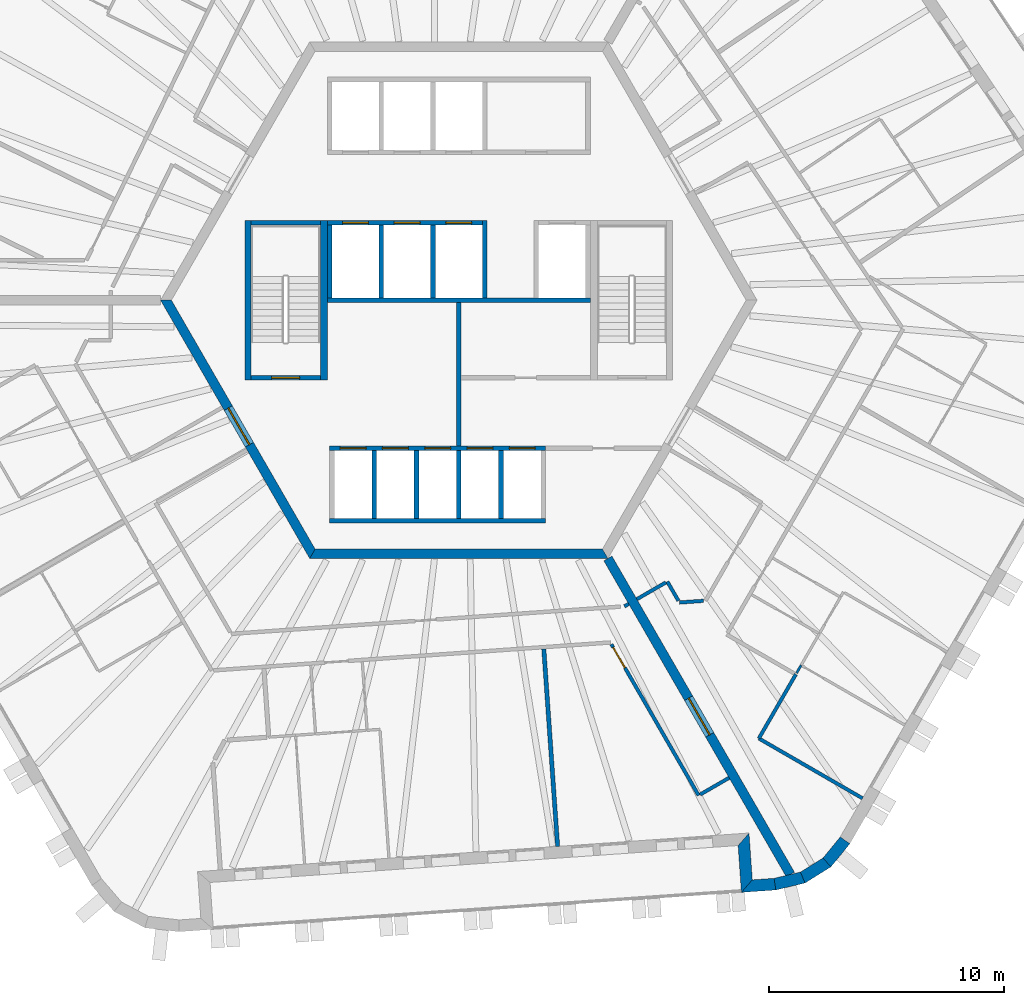
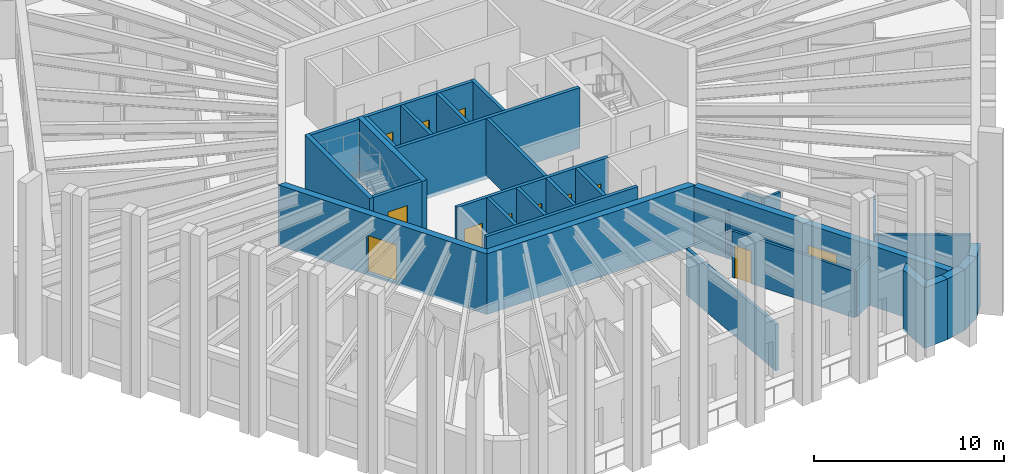
# One storey, part 5 of 12: 35 walls, 12 doors, 12 openings.
"""IFC4 building model written with IfcOpenShell, lengths in metres."""

from ifc_helpers import new_model, si_unit, direction, frame, frame_2d, origin, place, context, subcontext, project, spatial, polyline, rectangle, outline, extrude, material, layer, layer_set, type_object, element, fill, save


model = new_model("IFC4")

# Units and contexts
model_context = context("Model", 3, precision=1e-05, world=origin(), true_north=direction((0.0, 1.0)))
body_context = subcontext(model_context, "Body", "Model", "MODEL_VIEW")
ifc_project = project(units=[si_unit("LENGTHUNIT", "METRE"), si_unit("AREAUNIT", "SQUARE_METRE"), si_unit("VOLUMEUNIT", "CUBIC_METRE"), si_unit("PLANEANGLEUNIT", "RADIAN"), si_unit("MASSUNIT", "GRAM", prefix="KILO")], contexts=[model_context])

# Site, building, storey
site_placement = place(None, origin())
site = spatial("IfcSite", under=ifc_project, at=site_placement, CompositionType="ELEMENT")
building_placement = place(site_placement, origin())
building = spatial("IfcBuilding", under=site, at=building_placement, Name="Tarnside Tower", CompositionType="ELEMENT")
storey_placement = place(building_placement, frame((0.0, 0.0, 291.300048828125)))
storey = spatial("IfcBuildingStorey", under=building, at=storey_placement, Name="L70", CompositionType="ELEMENT", Elevation=291.300048828125)

# Walls
ifc_material_1 = material(Name="Gypsum board partition on steel studs", Category="steel")
ifc_layer_1 = layer(ifc_material_1, 0.10009765625)
ifc_layer_set_1 = layer_set([ifc_layer_1], Name="Bathroom wall 100")
wall_type_1 = type_object("IfcWallType", Name="Bathroom wall 100", PredefinedType="PARTITIONING", material=ifc_layer_set_1)
wall_1_placement = place(storey_placement, frame((14.39013671875, -15.87548828125, 0.0), z_axis=(0.0, 0.0, 1.0), x_axis=(0.500094824054, 0.865970650169, 0.0)))
element("IfcWall", 1, at=wall_1_placement, inside=storey, type_object=wall_type_1, Name="Bathroom wall 23146", PredefinedType="PARTITIONING", context=body_context, shape_type="SweptSolid", body=[
    extrude(rectangle(XDim=0.37841796875, YDim=0.10009765625, at=frame_2d((0.189208984375, 0.0))), origin(), (0.0, 0.0, 1.0), 2.98779296875),
])
ifc_material_2 = material(Name="Concrete C40/50", Category="concrete")
ifc_layer_2 = layer(ifc_material_2, 0.199951171875)
ifc_layer_set_2 = layer_set([ifc_layer_2], Name="Core room partition 200 C40/50")
wall_type_2 = type_object("IfcWallType", Name="Core room partition 200 C40/50", PredefinedType="PARTITIONING", material=ifc_layer_set_2)
wall_2_placement = place(storey_placement, frame((0.0, -6.199951171875, 0.0), z_axis=(0.0, 0.0, 1.0), x_axis=(0.0, 1.0, 0.0)))
element("IfcWall", 2, at=wall_2_placement, inside=storey, type_object=wall_type_2, Name="L70 core partition X0", PredefinedType="PARTITIONING", context=body_context, shape_type="SweptSolid", body=[
    extrude(rectangle(XDim=6.099853515625, YDim=0.199951171875, at=frame_2d((3.0498046875, 0.0))), origin(), (0.0, 0.0, 1.0), 3.64990234375),
])

# Wall, opening, door
ifc_material_3 = material(Name="Concrete C60/75", Category="concrete")
ifc_layer_3 = layer(ifc_material_3, 0.39990234375)
ifc_layer_set_3 = layer_set([ifc_layer_3], Name="Core wall Z3 400 C60/75")
wall_type_3 = type_object("IfcWallType", Name="Core wall Z3 400 C60/75", PredefinedType="SHEAR", material=ifc_layer_set_3)
wall_3_placement = place(storey_placement, frame((-12.470703125, 0.0, -0.150146484375), z_axis=(0.0, 0.0, 1.0), x_axis=(0.499996419489, -0.866027470984, 0.0)))
wall_3 = element("IfcWall", 3, at=wall_3_placement, inside=storey, type_object=wall_type_3, Name="L70 core wall face 3", PredefinedType="SHEAR", context=body_context, shape_type="SweptSolid", body=[
    extrude(outline(polyline([(-0.115478515625, -0.199951171875), (12.586181640625, -0.199951171875), (12.355224609375, 0.199951171875), (0.115478515625, 0.199951171875), (-0.115478515625, -0.199951171875)])), origin(), (0.0, 0.0, 1.0), 3.900146484375),
])
opening_1_placement = place(wall_3_placement, frame((5.306396484375, 0.0, 0.14990234375)))
opening_1 = element("IfcOpeningElement", 4, at=opening_1_placement, cuts=wall_3, Name="Opening CD-FFL", PredefinedType="OPENING", context=body_context, shape_type="SweptSolid", body=[
    extrude(rectangle(XDim=1.800048828125, YDim=2.39990234375, at=frame_2d((0.89990234375, 1.199951171875))), frame((0.0, 0.2099609375, 0.0), z_axis=(0.0, -1.0, 0.0), x_axis=(1.0, 0.0, 0.0)), (0.0, 0.0, 1.0), 0.419921875),
])
ifc_material_4 = material(Name="Steel fire door", Category="steel")
door_type_1 = type_object("IfcDoorType", Name="Firefighting lobby double door FD60S 1800x2400", OperationType="NOTDEFINED", PredefinedType="DOOR", material=ifc_material_4)
door_1_placement = place(opening_1_placement, origin())
door_1 = element("IfcDoor", 5, at=door_1_placement, inside=storey, type_object=door_type_1, Name="L70 core door P3", OperationType="DOUBLE_DOOR_SINGLE_SWING", OverallHeight=2.39990234375, OverallWidth=1.800048828125, PredefinedType="DOOR", context=body_context, shape_type="SweptSolid", body=[
    extrude(rectangle(XDim=1.800048828125, YDim=2.39990234375, at=frame_2d((0.89990234375, 1.199951171875))), frame((0.0, 0.02490234375, 0.0), z_axis=(0.0, -1.0, 0.0), x_axis=(1.0, 0.0, 0.0)), (0.0, 0.0, 1.0), 0.050048828125),
])
fill(opening_1, door_1)

# Wall
wall_4_placement = place(storey_placement, frame((-6.2353515625, -10.800048828125, -0.150146484375), z_axis=(0.0, 0.0, 1.0), x_axis=(1.0, 0.0, 0.0)))
element("IfcWall", 6, at=wall_4_placement, inside=storey, type_object=wall_type_3, Name="L70 core wall face 4", PredefinedType="SHEAR", context=body_context, shape_type="SweptSolid", body=[
    extrude(outline(polyline([(-0.115478515625, -0.199951171875), (12.586181640625, -0.199951171875), (12.355224609375, 0.199951171875), (0.115478515625, 0.199951171875), (-0.115478515625, -0.199951171875)])), origin(), (0.0, 0.0, 1.0), 3.900146484375),
])

# Wall, opening, door
wall_5_placement = place(storey_placement, frame((6.350830078125, -11.0, -0.150146484375), z_axis=(0.0, 0.0, 1.0), x_axis=(0.499998894578, -0.866026041999, 0.0)))
wall_5 = element("IfcWall", 7, at=wall_5_placement, inside=storey, type_object=wall_type_3, Name="L70 spine wall 3", PredefinedType="SHEAR", context=body_context, shape_type="SweptSolid", body=[
    extrude(rectangle(XDim=15.54443359375, YDim=0.39990234375, at=frame_2d((7.772216796875, 0.0))), origin(), (0.0, 0.0, 1.0), 3.900146484375),
])
opening_2_placement = place(wall_5_placement, frame((6.872314453125, 0.0, 0.14990234375)))
opening_2 = element("IfcOpeningElement", 8, at=opening_2_placement, cuts=wall_5, Name="Opening CD-SPN", PredefinedType="OPENING", context=body_context, shape_type="SweptSolid", body=[
    extrude(rectangle(XDim=1.800048828125, YDim=2.39990234375, at=frame_2d((0.89990234375, 1.199951171875))), frame((0.0, 0.2099609375, 0.0), z_axis=(0.0, -1.0, 0.0), x_axis=(1.0, 0.0, 0.0)), (0.0, 0.0, 1.0), 0.419921875),
])
door_type_2 = type_object("IfcDoorType", Name="Spine passage double door FD60 1800x2400", OperationType="NOTDEFINED", PredefinedType="DOOR", material=ifc_material_4)
door_2_placement = place(opening_2_placement, origin())
door_2 = element("IfcDoor", 9, at=door_2_placement, inside=storey, type_object=door_type_2, Name="L70 spine passage door 3", OperationType="DOUBLE_DOOR_SINGLE_SWING", OverallHeight=2.39990234375, OverallWidth=1.800048828125, PredefinedType="DOOR", context=body_context, shape_type="SweptSolid", body=[
    extrude(rectangle(XDim=1.800048828125, YDim=2.39990234375, at=frame_2d((0.89990234375, 1.199951171875))), frame((0.0, 0.02490234375, 0.0), z_axis=(0.0, -1.0, 0.0), x_axis=(1.0, 0.0, 0.0)), (0.0, 0.0, 1.0), 0.050048828125),
])
fill(opening_2, door_2)

ifc_layer_4 = layer(ifc_material_1, 0.14990234375)
ifc_layer_set_4 = layer_set([ifc_layer_4], Name="Corridor wall 150 EI 60")
wall_type_4 = type_object("IfcWallType", Name="Corridor wall 150 EI 60", PredefinedType="PARTITIONING", material=ifc_layer_set_4)
wall_6_placement = place(storey_placement, frame((6.49951171875, -14.6572265625, 0.0), z_axis=(0.0, 0.0, 1.0), x_axis=(0.499966098742, -0.8660449758, 0.0)))
wall_6 = element("IfcWall", 10, at=wall_6_placement, inside=storey, type_object=wall_type_4, Name="Corridor wall 23042", PredefinedType="PARTITIONING", context=body_context, shape_type="SweptSolid", body=[
    extrude(rectangle(XDim=7.4306640625, YDim=0.14990234375, at=frame_2d((3.71533203125, 0.0))), origin(), (0.0, 0.0, 1.0), 2.98779296875),
])
opening_3_placement = place(wall_6_placement, frame((0.14990234375, 0.0, 0.0)))
opening_3 = element("IfcOpeningElement", 11, at=opening_3_placement, cuts=wall_6, Name="Opening D-E1", PredefinedType="OPENING", context=body_context, shape_type="SweptSolid", body=[
    extrude(rectangle(XDim=1.0, YDim=2.10009765625, at=frame_2d((0.5, 1.050048828125))), frame((0.0, 0.0849609375, 0.0), z_axis=(0.0, -1.0, 0.0), x_axis=(1.0, 0.0, 0.0)), (0.0, 0.0, 1.0), 0.169921875),
])
ifc_material_5 = material(Name="Timber door leaf", Category="wood")
door_type_3 = type_object("IfcDoorType", Name="Unit entrance door 1000 FD30S", OperationType="NOTDEFINED", PredefinedType="DOOR", material=ifc_material_5)
door_3_placement = place(opening_3_placement, origin())
door_3 = element("IfcDoor", 12, at=door_3_placement, inside=storey, type_object=door_type_3, Name="Unit door 23038", OperationType="SINGLE_SWING_RIGHT", OverallHeight=2.10009765625, OverallWidth=1.0, PredefinedType="DOOR", context=body_context, shape_type="SweptSolid", body=[
    extrude(rectangle(XDim=1.0, YDim=2.10009765625, at=frame_2d((0.5, 1.050048828125))), frame((0.0, 0.02490234375, 0.0), z_axis=(0.0, -1.0, 0.0), x_axis=(1.0, 0.0, 0.0)), (0.0, 0.0, 1.0), 0.050048828125),
])
fill(opening_3, door_3)

# Walls
wall_7_placement = place(storey_placement, frame((10.27978515625, -21.054931640625, 0.0), z_axis=(0.0, 0.0, 1.0), x_axis=(0.866020080793, 0.500009219579, 0.0)))
element("IfcWall", 13, at=wall_7_placement, inside=storey, type_object=wall_type_4, Name="Corridor wall 23043", PredefinedType="PARTITIONING", context=body_context, shape_type="SweptSolid", body=[
    extrude(rectangle(XDim=1.4248046875, YDim=0.14990234375, at=frame_2d((0.71240234375, 0.0))), origin(), (0.0, 0.0, 1.0), 2.98779296875),
])
wall_8_placement = place(storey_placement, frame((7.23681640625, -12.9345703125, 0.0), z_axis=(0.0, 0.0, 1.0), x_axis=(-0.866088799389, -0.499890179513, 0.0)))
element("IfcWall", 14, at=wall_8_placement, inside=storey, type_object=wall_type_4, Name="Corridor wall 23049", PredefinedType="PARTITIONING", context=body_context, shape_type="SweptSolid", body=[
    extrude(rectangle(XDim=0.2099609375, YDim=0.14990234375, at=frame_2d((0.10498046875, 0.0))), origin(), (0.0, 0.0, 1.0), 2.98779296875),
])
wall_9_placement = place(storey_placement, frame((12.780029296875, -18.66455078125, 0.0), z_axis=(0.0, 0.0, 1.0), x_axis=(0.499972881236, 0.866041060244, 0.0)))
element("IfcWall", 15, at=wall_9_placement, inside=storey, type_object=wall_type_4, Name="Corridor wall 23057", PredefinedType="PARTITIONING", context=body_context, shape_type="SweptSolid", body=[
    extrude(rectangle(XDim=3.150634765625, YDim=0.14990234375, at=frame_2d((1.5751953125, 0.0))), origin(), (0.0, 0.0, 1.0), 2.98779296875),
])
wall_10_placement = place(storey_placement, frame((17.196044921875, -21.215576171875, 0.0), z_axis=(0.0, 0.0, 1.0), x_axis=(-0.866024511559, 0.500001545377, 0.0)))
element("IfcWall", 16, at=wall_10_placement, inside=storey, type_object=wall_type_4, Name="Corridor wall 23058", PredefinedType="PARTITIONING", context=body_context, shape_type="SweptSolid", body=[
    extrude(rectangle(XDim=5.0986328125, YDim=0.14990234375, at=frame_2d((2.54931640625, 0.0))), origin(), (0.0, 0.0, 1.0), 2.98779296875),
])
wall_11_placement = place(storey_placement, frame((10.418701171875, -12.804443359375, 0.0), z_axis=(0.0, 0.0, 1.0), x_axis=(-0.997558136861, -0.069840987838, 0.0)))
element("IfcWall", 17, at=wall_11_placement, inside=storey, type_object=wall_type_4, Name="Corridor wall 23075", PredefinedType="PARTITIONING", context=body_context, shape_type="SweptSolid", body=[
    extrude(rectangle(XDim=1.024169921875, YDim=0.14990234375, at=frame_2d((0.51220703125, 0.0))), origin(), (0.0, 0.0, 1.0), 2.98779296875),
])
wall_12_placement = place(storey_placement, frame((9.355224609375, -12.8037109375, 0.0), z_axis=(0.0, 0.0, 1.0), x_axis=(-0.499998034377, 0.866026538634, 0.0)))
element("IfcWall", 18, at=wall_12_placement, inside=storey, type_object=wall_type_4, Name="Corridor wall 23076", PredefinedType="PARTITIONING", context=body_context, shape_type="SweptSolid", body=[
    extrude(rectangle(XDim=0.94580078125, YDim=0.14990234375, at=frame_2d((0.472900390625, 0.0))), origin(), (0.0, 0.0, 1.0), 2.98779296875),
])
wall_13_placement = place(storey_placement, frame((8.8173828125, -12.022216796875, 0.0), z_axis=(0.0, 0.0, 1.0), x_axis=(-0.866062911188, -0.499935029643, 0.0)))
element("IfcWall", 19, at=wall_13_placement, inside=storey, type_object=wall_type_4, Name="Corridor wall 23077", PredefinedType="PARTITIONING", context=body_context, shape_type="SweptSolid", body=[
    extrude(rectangle(XDim=1.425048828125, YDim=0.14990234375, at=frame_2d((0.71240234375, 0.0))), origin(), (0.0, 0.0, 1.0), 2.98779296875),
])
ifc_layer_5 = layer(ifc_material_1, 0.179931640625)
ifc_layer_set_5 = layer_set([ifc_layer_5], Name="Demising wall 180 EI 60")
wall_type_5 = type_object("IfcWallType", Name="Demising wall 180 EI 60", PredefinedType="PARTITIONING", material=ifc_layer_set_5)
wall_14_placement = place(storey_placement, frame((4.208251953125, -23.26318359375, 0.0), z_axis=(0.0, 0.0, 1.0), x_axis=(-0.069749826803, 0.997564515037, 0.0)))
element("IfcWall", 20, at=wall_14_placement, inside=storey, type_object=wall_type_5, Name="Demising wall 23133", PredefinedType="PARTITIONING", context=body_context, shape_type="SweptSolid", body=[
    extrude(rectangle(XDim=8.425048828125, YDim=0.179931640625, at=frame_2d((4.21240234375, 0.0))), origin(), (0.0, 0.0, 1.0), 2.98779296875),
])

# Wall, openings, doors
ifc_layer_6 = layer(ifc_material_2, 0.199951171875)
ifc_layer_set_6 = layer_set([ifc_layer_6], Name="Lift shaft wall 200 C40/50")
wall_type_6 = type_object("IfcWallType", Name="Lift shaft wall 200 C40/50", PredefinedType="SHEAR", material=ifc_layer_set_6)
wall_15_placement = place(storey_placement, frame((-5.60009765625, 3.300048828125, -0.25), z_axis=(0.0, 0.0, 1.0), x_axis=(1.0, 0.0, 0.0)))
wall_15 = element("IfcWall", 21, at=wall_15_placement, inside=storey, type_object=wall_type_6, Name="L70 lift shaft front wall R2", PredefinedType="SHEAR", context=body_context, shape_type="SweptSolid", body=[
    extrude(rectangle(XDim=6.60009765625, YDim=0.199951171875, at=frame_2d((3.300048828125, 0.0))), origin(), (0.0, 0.0, 1.0), 3.89990234375),
])
opening_4_placement = place(wall_15_placement, frame((0.64990234375, 0.0, 0.25)))
opening_4 = element("IfcOpeningElement", 22, at=opening_4_placement, cuts=wall_15, Name="Opening LD", PredefinedType="OPENING", context=body_context, shape_type="SweptSolid", body=[
    extrude(rectangle(XDim=1.10009765625, YDim=2.10009765625, at=frame_2d((0.550048828125, 1.050048828125))), frame((0.0, 0.10986328125, 0.0), z_axis=(0.0, -1.0, 0.0), x_axis=(1.0, 0.0, 0.0)), (0.0, 0.0, 1.0), 0.219970703125),
])
opening_5_placement = place(wall_15_placement, frame((2.85009765625, 0.0, 0.25)))
opening_5 = element("IfcOpeningElement", 23, at=opening_5_placement, cuts=wall_15, Name="Opening LD", PredefinedType="OPENING", context=body_context, shape_type="SweptSolid", body=[
    extrude(rectangle(XDim=1.10009765625, YDim=2.10009765625, at=frame_2d((0.550048828125, 1.050048828125))), frame((0.0, 0.10986328125, 0.0), z_axis=(0.0, -1.0, 0.0), x_axis=(1.0, 0.0, 0.0)), (0.0, 0.0, 1.0), 0.219970703125),
])
opening_6_placement = place(wall_15_placement, frame((5.050048828125, 0.0, 0.25)))
opening_6 = element("IfcOpeningElement", 24, at=opening_6_placement, cuts=wall_15, Name="Opening LD", PredefinedType="OPENING", context=body_context, shape_type="SweptSolid", body=[
    extrude(rectangle(XDim=1.10009765625, YDim=2.10009765625, at=frame_2d((0.550048828125, 1.050048828125))), frame((0.0, 0.10986328125, 0.0), z_axis=(0.0, -1.0, 0.0), x_axis=(1.0, 0.0, 0.0)), (0.0, 0.0, 1.0), 0.219970703125),
])
ifc_material_6 = material(Name="Stainless steel", Category="steel")
door_type_4 = type_object("IfcDoorType", Name="Lift landing door 1100x2100", OperationType="NOTDEFINED", PredefinedType="DOOR", material=ifc_material_6)
door_4_placement = place(opening_4_placement, origin())
door_4 = element("IfcDoor", 25, at=door_4_placement, inside=storey, type_object=door_type_4, Name="High-rise lift 4 landing door L70", OperationType="SLIDING_TO_LEFT", OverallHeight=2.10009765625, OverallWidth=1.10009765625, PredefinedType="DOOR", context=body_context, shape_type="SweptSolid", body=[
    extrude(rectangle(XDim=1.10009765625, YDim=2.10009765625, at=frame_2d((0.550048828125, 1.050048828125))), frame((0.0, 0.02490234375, 0.0), z_axis=(0.0, -1.0, 0.0), x_axis=(1.0, 0.0, 0.0)), (0.0, 0.0, 1.0), 0.050048828125),
])
fill(opening_4, door_4)
door_5_placement = place(opening_5_placement, origin())
door_5 = element("IfcDoor", 26, at=door_5_placement, inside=storey, type_object=door_type_4, Name="High-rise lift 5 landing door L70", OperationType="SLIDING_TO_LEFT", OverallHeight=2.10009765625, OverallWidth=1.10009765625, PredefinedType="DOOR", context=body_context, shape_type="SweptSolid", body=[
    extrude(rectangle(XDim=1.10009765625, YDim=2.10009765625, at=frame_2d((0.550048828125, 1.050048828125))), frame((0.0, 0.02490234375, 0.0), z_axis=(0.0, -1.0, 0.0), x_axis=(1.0, 0.0, 0.0)), (0.0, 0.0, 1.0), 0.050048828125),
])
fill(opening_5, door_5)
door_6_placement = place(opening_6_placement, origin())
door_6 = element("IfcDoor", 27, at=door_6_placement, inside=storey, type_object=door_type_4, Name="High-rise lift 6 landing door L70", OperationType="SLIDING_TO_LEFT", OverallHeight=2.10009765625, OverallWidth=1.10009765625, PredefinedType="DOOR", context=body_context, shape_type="SweptSolid", body=[
    extrude(rectangle(XDim=1.10009765625, YDim=2.10009765625, at=frame_2d((0.550048828125, 1.050048828125))), frame((0.0, 0.02490234375, 0.0), z_axis=(0.0, -1.0, 0.0), x_axis=(1.0, 0.0, 0.0)), (0.0, 0.0, 1.0), 0.050048828125),
])
fill(opening_6, door_6)

# Walls
wall_16_placement = place(storey_placement, frame((-5.60009765625, 0.0, -0.25), z_axis=(0.0, 0.0, 1.0), x_axis=(1.0, 0.0, 0.0)))
element("IfcWall", 28, at=wall_16_placement, inside=storey, type_object=wall_type_6, Name="L70 lift shaft back wall R2", PredefinedType="SHEAR", context=body_context, shape_type="SweptSolid", body=[
    extrude(rectangle(XDim=11.2001953125, YDim=0.199951171875, at=frame_2d((5.60009765625, 0.0))), origin(), (0.0, 0.0, 1.0), 3.89990234375),
])
for number, where, z_axis, x_axis, name in (
    (29, (-5.5, 0.10009765625, -0.25), (0.0, 0.0, 1.0), (0.0, 1.0, 0.0), "L70 lift shaft partition R21"),
    (30, (-3.300048828125, 0.10009765625, -0.25), (0.0, 0.0, 1.0), (0.0, 1.0, 0.0), "L70 lift shaft partition R22"),
    (31, (-1.10009765625, 0.10009765625, -0.25), (0.0, 0.0, 1.0), (0.0, 1.0, 0.0), "L70 lift shaft partition R23"),
):
    element("IfcWall", number, at=place(storey_placement, frame(where, z_axis=z_axis, x_axis=x_axis)), inside=storey, type_object=wall_type_6, Name=name, PredefinedType="SHEAR", context=body_context, shape_type="SweptSolid", body=[
        extrude(rectangle(XDim=3.099853515625, YDim=0.199951171875, at=frame_2d((1.5498046875, 0.0))), origin(), (0.0, 0.0, 1.0), 3.89990234375),
    ])
wall_17_placement = place(storey_placement, frame((1.10009765625, 0.10009765625, -0.25), z_axis=(0.0, 0.0, 1.0), x_axis=(0.0, 1.0, 0.0)))
element("IfcWall", 32, at=wall_17_placement, inside=storey, type_object=wall_type_6, Name="L70 lift shaft partition R24", PredefinedType="SHEAR", context=body_context, shape_type="SweptSolid", body=[
    extrude(rectangle(XDim=3.2998046875, YDim=0.199951171875, at=frame_2d((1.64990234375, 0.0))), origin(), (0.0, 0.0, 1.0), 3.89990234375),
])

# Wall, openings, doors
wall_18_placement = place(storey_placement, frame((-5.5, -6.300048828125, -0.25), z_axis=(0.0, 0.0, 1.0), x_axis=(1.0, 0.0, 0.0)))
wall_18 = element("IfcWall", 33, at=wall_18_placement, inside=storey, type_object=wall_type_6, Name="L70 lift shaft front wall R4", PredefinedType="SHEAR", context=body_context, shape_type="SweptSolid", body=[
    extrude(rectangle(XDim=9.199951171875, YDim=0.199951171875, at=frame_2d((4.60009765625, 0.0))), origin(), (0.0, 0.0, 1.0), 3.89990234375),
])
opening_7_placement = place(wall_18_placement, frame((0.449951171875, 0.0, 0.25)))
opening_7 = element("IfcOpeningElement", 34, at=opening_7_placement, cuts=wall_18, Name="Opening LDF", PredefinedType="OPENING", context=body_context, shape_type="SweptSolid", body=[
    extrude(rectangle(XDim=1.10009765625, YDim=2.10009765625, at=frame_2d((0.550048828125, 1.050048828125))), frame((0.0, 0.10986328125, 0.0), z_axis=(0.0, -1.0, 0.0), x_axis=(1.0, 0.0, 0.0)), (0.0, 0.0, 1.0), 0.219970703125),
])
opening_8_placement = place(wall_18_placement, frame((2.25, 0.0, 0.25)))
opening_8 = element("IfcOpeningElement", 35, at=opening_8_placement, cuts=wall_18, Name="Opening LDF", PredefinedType="OPENING", context=body_context, shape_type="SweptSolid", body=[
    extrude(rectangle(XDim=1.10009765625, YDim=2.10009765625, at=frame_2d((0.550048828125, 1.050048828125))), frame((0.0, 0.10986328125, 0.0), z_axis=(0.0, -1.0, 0.0), x_axis=(1.0, 0.0, 0.0)), (0.0, 0.0, 1.0), 0.219970703125),
])
opening_9_placement = place(wall_18_placement, frame((4.050048828125, 0.0, 0.25)))
opening_9 = element("IfcOpeningElement", 36, at=opening_9_placement, cuts=wall_18, Name="Opening LDF", PredefinedType="OPENING", context=body_context, shape_type="SweptSolid", body=[
    extrude(rectangle(XDim=1.10009765625, YDim=2.10009765625, at=frame_2d((0.550048828125, 1.050048828125))), frame((0.0, 0.10986328125, 0.0), z_axis=(0.0, -1.0, 0.0), x_axis=(1.0, 0.0, 0.0)), (0.0, 0.0, 1.0), 0.219970703125),
])
opening_10_placement = place(wall_18_placement, frame((5.85009765625, 0.0, 0.25)))
opening_10 = element("IfcOpeningElement", 37, at=opening_10_placement, cuts=wall_18, Name="Opening LDF", PredefinedType="OPENING", context=body_context, shape_type="SweptSolid", body=[
    extrude(rectangle(XDim=1.10009765625, YDim=2.10009765625, at=frame_2d((0.550048828125, 1.050048828125))), frame((0.0, 0.10986328125, 0.0), z_axis=(0.0, -1.0, 0.0), x_axis=(1.0, 0.0, 0.0)), (0.0, 0.0, 1.0), 0.219970703125),
])
opening_11_placement = place(wall_18_placement, frame((7.64990234375, 0.0, 0.25)))
opening_11 = element("IfcOpeningElement", 38, at=opening_11_placement, cuts=wall_18, Name="Opening LDF", PredefinedType="OPENING", context=body_context, shape_type="SweptSolid", body=[
    extrude(rectangle(XDim=1.10009765625, YDim=2.10009765625, at=frame_2d((0.550048828125, 1.050048828125))), frame((0.0, 0.10986328125, 0.0), z_axis=(0.0, -1.0, 0.0), x_axis=(1.0, 0.0, 0.0)), (0.0, 0.0, 1.0), 0.219970703125),
])
door_type_5 = type_object("IfcDoorType", Name="Lift landing door 1100x2100 EI 120", OperationType="NOTDEFINED", PredefinedType="DOOR", material=ifc_material_6)
door_7_placement = place(opening_7_placement, origin())
door_7 = element("IfcDoor", 39, at=door_7_placement, inside=storey, type_object=door_type_5, Name="Firefighting lift 1 landing door L70", OperationType="SLIDING_TO_LEFT", OverallHeight=2.10009765625, OverallWidth=1.10009765625, PredefinedType="DOOR", context=body_context, shape_type="SweptSolid", body=[
    extrude(rectangle(XDim=1.10009765625, YDim=2.10009765625, at=frame_2d((0.550048828125, 1.050048828125))), frame((0.0, 0.02490234375, 0.0), z_axis=(0.0, -1.0, 0.0), x_axis=(1.0, 0.0, 0.0)), (0.0, 0.0, 1.0), 0.050048828125),
])
fill(opening_7, door_7)
door_8_placement = place(opening_8_placement, origin())
door_8 = element("IfcDoor", 40, at=door_8_placement, inside=storey, type_object=door_type_5, Name="Firefighting lift 2 landing door L70", OperationType="SLIDING_TO_LEFT", OverallHeight=2.10009765625, OverallWidth=1.10009765625, PredefinedType="DOOR", context=body_context, shape_type="SweptSolid", body=[
    extrude(rectangle(XDim=1.10009765625, YDim=2.10009765625, at=frame_2d((0.550048828125, 1.050048828125))), frame((0.0, 0.02490234375, 0.0), z_axis=(0.0, -1.0, 0.0), x_axis=(1.0, 0.0, 0.0)), (0.0, 0.0, 1.0), 0.050048828125),
])
fill(opening_8, door_8)
door_9_placement = place(opening_9_placement, origin())
door_9 = element("IfcDoor", 41, at=door_9_placement, inside=storey, type_object=door_type_5, Name="Firefighting lift 3 landing door L70", OperationType="SLIDING_TO_LEFT", OverallHeight=2.10009765625, OverallWidth=1.10009765625, PredefinedType="DOOR", context=body_context, shape_type="SweptSolid", body=[
    extrude(rectangle(XDim=1.10009765625, YDim=2.10009765625, at=frame_2d((0.550048828125, 1.050048828125))), frame((0.0, 0.02490234375, 0.0), z_axis=(0.0, -1.0, 0.0), x_axis=(1.0, 0.0, 0.0)), (0.0, 0.0, 1.0), 0.050048828125),
])
fill(opening_9, door_9)
door_10_placement = place(opening_10_placement, origin())
door_10 = element("IfcDoor", 42, at=door_10_placement, inside=storey, type_object=door_type_5, Name="Firefighting lift 4 landing door L70", OperationType="SLIDING_TO_LEFT", OverallHeight=2.10009765625, OverallWidth=1.10009765625, PredefinedType="DOOR", context=body_context, shape_type="SweptSolid", body=[
    extrude(rectangle(XDim=1.10009765625, YDim=2.10009765625, at=frame_2d((0.550048828125, 1.050048828125))), frame((0.0, 0.02490234375, 0.0), z_axis=(0.0, -1.0, 0.0), x_axis=(1.0, 0.0, 0.0)), (0.0, 0.0, 1.0), 0.050048828125),
])
fill(opening_10, door_10)
door_11_placement = place(opening_11_placement, origin())
door_11 = element("IfcDoor", 43, at=door_11_placement, inside=storey, type_object=door_type_5, Name="Firefighting lift 5 landing door L70", OperationType="SLIDING_TO_LEFT", OverallHeight=2.10009765625, OverallWidth=1.10009765625, PredefinedType="DOOR", context=body_context, shape_type="SweptSolid", body=[
    extrude(rectangle(XDim=1.10009765625, YDim=2.10009765625, at=frame_2d((0.550048828125, 1.050048828125))), frame((0.0, 0.02490234375, 0.0), z_axis=(0.0, -1.0, 0.0), x_axis=(1.0, 0.0, 0.0)), (0.0, 0.0, 1.0), 0.050048828125),
])
fill(opening_11, door_11)

# Walls
wall_19_placement = place(storey_placement, frame((-5.5, -9.39990234375, -0.25), z_axis=(0.0, 0.0, 1.0), x_axis=(1.0, 0.0, 0.0)))
element("IfcWall", 44, at=wall_19_placement, inside=storey, type_object=wall_type_6, Name="L70 lift shaft back wall R4", PredefinedType="SHEAR", context=body_context, shape_type="SweptSolid", body=[
    extrude(rectangle(XDim=9.199951171875, YDim=0.199951171875, at=frame_2d((4.60009765625, 0.0))), origin(), (0.0, 0.0, 1.0), 3.89990234375),
])
for number, where, z_axis, x_axis, name in (
    (45, (-3.60009765625, -9.300048828125, -0.25), (0.0, 0.0, 1.0), (0.0, 1.0, 0.0), "L70 lift shaft partition R42"),
    (46, (-1.800048828125, -9.300048828125, -0.25), (0.0, 0.0, 1.0), (0.0, 1.0, 0.0), "L70 lift shaft partition R43"),
    (47, (0.0, -9.300048828125, -0.25), (0.0, 0.0, 1.0), (0.0, 1.0, 0.0), "L70 lift shaft partition R44"),
    (48, (1.800048828125, -9.300048828125, -0.25), (0.0, 0.0, 1.0), (0.0, 1.0, 0.0), "L70 lift shaft partition R45"),
):
    element("IfcWall", number, at=place(storey_placement, frame(where, z_axis=z_axis, x_axis=x_axis)), inside=storey, type_object=wall_type_6, Name=name, PredefinedType="SHEAR", context=body_context, shape_type="SweptSolid", body=[
        extrude(rectangle(XDim=2.900146484375, YDim=0.199951171875, at=frame_2d((1.4501953125, 0.0))), origin(), (0.0, 0.0, 1.0), 3.89990234375),
    ])
wall_20_placement = place(storey_placement, frame((-8.85009765625, 3.300048828125, -0.25), z_axis=(0.0, 0.0, 1.0), x_axis=(1.0, 0.0, 0.0)))
element("IfcWall", 49, at=wall_20_placement, inside=storey, type_object=wall_type_6, Name="L70 stair 2 enclosure cap wall n", PredefinedType="SHEAR", context=body_context, shape_type="SweptSolid", body=[
    extrude(rectangle(XDim=2.9501953125, YDim=0.199951171875, at=frame_2d((1.47509765625, 0.0))), origin(), (0.0, 0.0, 1.0), 3.89990234375),
])

# Wall, opening, door
wall_21_placement = place(storey_placement, frame((-8.85009765625, -3.300048828125, -0.25), z_axis=(0.0, 0.0, 1.0), x_axis=(1.0, 0.0, 0.0)))
wall_21 = element("IfcWall", 50, at=wall_21_placement, inside=storey, type_object=wall_type_6, Name="L70 stair 2 enclosure cap wall s", PredefinedType="SHEAR", context=body_context, shape_type="SweptSolid", body=[
    extrude(rectangle(XDim=2.9501953125, YDim=0.199951171875, at=frame_2d((1.47509765625, 0.0))), origin(), (0.0, 0.0, 1.0), 3.89990234375),
])
opening_12_placement = place(wall_21_placement, frame((0.875, 0.0, 0.25)))
opening_12 = element("IfcOpeningElement", 51, at=opening_12_placement, cuts=wall_21, Name="Opening CD-STR", PredefinedType="OPENING", context=body_context, shape_type="SweptSolid", body=[
    extrude(rectangle(XDim=1.199951171875, YDim=2.39990234375, at=frame_2d((0.60009765625, 1.199951171875))), frame((0.0, 0.10986328125, 0.0), z_axis=(0.0, -1.0, 0.0), x_axis=(1.0, 0.0, 0.0)), (0.0, 0.0, 1.0), 0.219970703125),
])
door_type_6 = type_object("IfcDoorType", Name="Stair door FD60S 1200x2400", OperationType="NOTDEFINED", PredefinedType="DOOR", material=ifc_material_4)
door_12_placement = place(opening_12_placement, origin())
door_12 = element("IfcDoor", 52, at=door_12_placement, inside=storey, type_object=door_type_6, Name="L70 stair 2 door", OperationType="SINGLE_SWING_LEFT", OverallHeight=2.39990234375, OverallWidth=1.199951171875, PredefinedType="DOOR", context=body_context, shape_type="SweptSolid", body=[
    extrude(rectangle(XDim=1.199951171875, YDim=2.39990234375, at=frame_2d((0.60009765625, 1.199951171875))), frame((0.0, 0.02490234375, 0.0), z_axis=(0.0, -1.0, 0.0), x_axis=(1.0, 0.0, 0.0)), (0.0, 0.0, 1.0), 0.050048828125),
])
fill(opening_12, door_12)

# Walls
ifc_material_7 = material(Name="Dark zinc cladding")
ifc_layer_7 = layer(ifc_material_7, 0.10205078125)
ifc_material_8 = material(Name="Concrete C60/75 precast", Category="concrete")
ifc_layer_8 = layer(ifc_material_8, 0.298095703125)
ifc_material_9 = material(Name="Mineral wool insulation")
ifc_layer_9 = layer(ifc_material_9, 0.10009765625)
ifc_layer_set_7 = layer_set([ifc_layer_7, ifc_layer_8, ifc_layer_9], Name="Loggia wall 500 zinc faced")
wall_type_7 = type_object("IfcWallType", Name="Loggia wall 500 zinc faced", PredefinedType="SOLIDWALL", material=ifc_layer_set_7)
wall_22_placement = place(storey_placement, frame((12.128662109375, -22.9599609375, -0.150146484375), z_axis=(0.0, 0.0, 1.0), x_axis=(0.069824268692, -0.99755930726, 0.0)))
element("IfcWall", 53, at=wall_22_placement, inside=storey, type_object=wall_type_7, Name="Tube wall L70 F4 return 19", PredefinedType="SOLIDWALL", context=body_context, shape_type="SweptSolid", body=[
    extrude(outline(polyline([(0.25, -0.25), (2.25, -0.25), (1.75, 0.25), (-0.25, 0.25), (0.25, -0.25)])), origin(), (0.0, 0.0, 1.0), 3.900146484375),
])
wall_23_placement = place(storey_placement, frame((12.268310546875, -24.955078125, -0.150146484375), z_axis=(0.0, 0.0, 1.0), x_axis=(0.997561942506, 0.06978660948, 0.0)))
element("IfcWall", 54, at=wall_23_placement, inside=storey, type_object=wall_type_7, Name="Tube wall L70 F4 stub 20", PredefinedType="SOLIDWALL", context=body_context, shape_type="SweptSolid", body=[
    extrude(outline(polyline([(-0.25, -0.25), (1.220458984375, -0.25), (1.179443359375, 0.25), (0.25, 0.25), (-0.25, -0.25)])), origin(), (0.0, 0.0, 1.0), 3.900146484375),
])
ifc_layer_10 = layer(ifc_material_2, 0.25)
ifc_layer_set_8 = layer_set([ifc_layer_10], Name="Stair enclosure wall 250 C40/50")
wall_type_8 = type_object("IfcWallType", Name="Stair enclosure wall 250 C40/50", PredefinedType="SHEAR", material=ifc_layer_set_8)
wall_24_placement = place(storey_placement, frame((-8.97509765625, -3.39990234375, -0.25), z_axis=(0.0, 0.0, 1.0), x_axis=(0.0, 1.0, 0.0)))
element("IfcWall", 55, at=wall_24_placement, inside=storey, type_object=wall_type_8, Name="L70 stair 2 enclosure wall outer", PredefinedType="SHEAR", context=body_context, shape_type="SweptSolid", body=[
    extrude(rectangle(XDim=6.7998046875, YDim=0.25, at=frame_2d((3.39990234375, 0.0))), origin(), (0.0, 0.0, 1.0), 3.89990234375),
])
ifc_layer_11 = layer(ifc_material_2, 0.300048828125)
ifc_layer_set_9 = layer_set([ifc_layer_11], Name="Stair enclosure wall 300 C40/50")
wall_type_9 = type_object("IfcWallType", Name="Stair enclosure wall 300 C40/50", PredefinedType="SHEAR", material=ifc_layer_set_9)
wall_25_placement = place(storey_placement, frame((-5.75, -3.39990234375, -0.25), z_axis=(0.0, 0.0, 1.0), x_axis=(0.0, 1.0, 0.0)))
element("IfcWall", 56, at=wall_25_placement, inside=storey, type_object=wall_type_9, Name="L70 stair 2 enclosure wall inner", PredefinedType="SHEAR", context=body_context, shape_type="SweptSolid", body=[
    extrude(rectangle(XDim=6.7998046875, YDim=0.300048828125, at=frame_2d((3.39990234375, 0.0))), origin(), (0.0, 0.0, 1.0), 3.89990234375),
])
ifc_material_10 = material(Name="Facing brick", Category="masonry")
ifc_layer_12 = layer(ifc_material_10, 0.10205078125)
ifc_layer_13 = layer(ifc_material_8, 0.298095703125)
ifc_layer_14 = layer(ifc_material_9, 0.10009765625)
ifc_layer_set_10 = layer_set([ifc_layer_12, ifc_layer_13, ifc_layer_14], Name="Tube wall 500 brick faced")
wall_type_10 = type_object("IfcWallType", Name="Tube wall 500 brick faced", PredefinedType="SOLIDWALL", material=ifc_layer_set_10)
wall_26_placement = place(storey_placement, frame((13.46533203125, -24.871337890625, -0.150146484375), z_axis=(0.0, 0.0, 1.0), x_axis=(0.973044740285, 0.230616420501, 0.0)))
element("IfcWall", 57, at=wall_26_placement, inside=storey, type_object=wall_type_10, Name="Tube wall L70 F4 chord 21", PredefinedType="SOLIDWALL", context=body_context, shape_type="SweptSolid", body=[
    extrude(outline(polyline([(-0.0205078125, -0.25), (1.25732421875, -0.25), (1.17529296875, 0.25), (0.0205078125, 0.25), (-0.0205078125, -0.25)])), origin(), (0.0, 0.0, 1.0), 3.900146484375),
])
wall_27_placement = place(storey_placement, frame((14.64892578125, -24.5908203125, -0.150146484375), z_axis=(0.0, 0.0, 1.0), x_axis=(0.848054682072, 0.529908724419, 0.0)))
element("IfcWall", 58, at=wall_27_placement, inside=storey, type_object=wall_type_10, Name="Tube wall L70 F4 chord 22", PredefinedType="SOLIDWALL", context=body_context, shape_type="SweptSolid", body=[
    extrude(outline(polyline([(-0.041015625, -0.25), (1.25732421875, -0.25), (1.17529296875, 0.25), (0.041015625, 0.25), (-0.041015625, -0.25)])), origin(), (0.0, 0.0, 1.0), 3.900146484375),
])
wall_28_placement = place(storey_placement, frame((15.680419921875, -23.9462890625, -0.150146484375), z_axis=(0.0, 0.0, 1.0), x_axis=(0.633805934167, 0.773492105852, 0.0)))
element("IfcWall", 59, at=wall_28_placement, inside=storey, type_object=wall_type_10, Name="Tube wall L70 F4 chord 23", PredefinedType="SOLIDWALL", context=body_context, shape_type="SweptSolid", body=[
    extrude(outline(polyline([(-0.041015625, -0.25), (1.237060546875, -0.25), (1.196044921875, 0.25), (0.041015625, 0.25), (-0.041015625, -0.25)])), origin(), (0.0, 0.0, 1.0), 3.900146484375),
])

save(model, "model.ifc")
